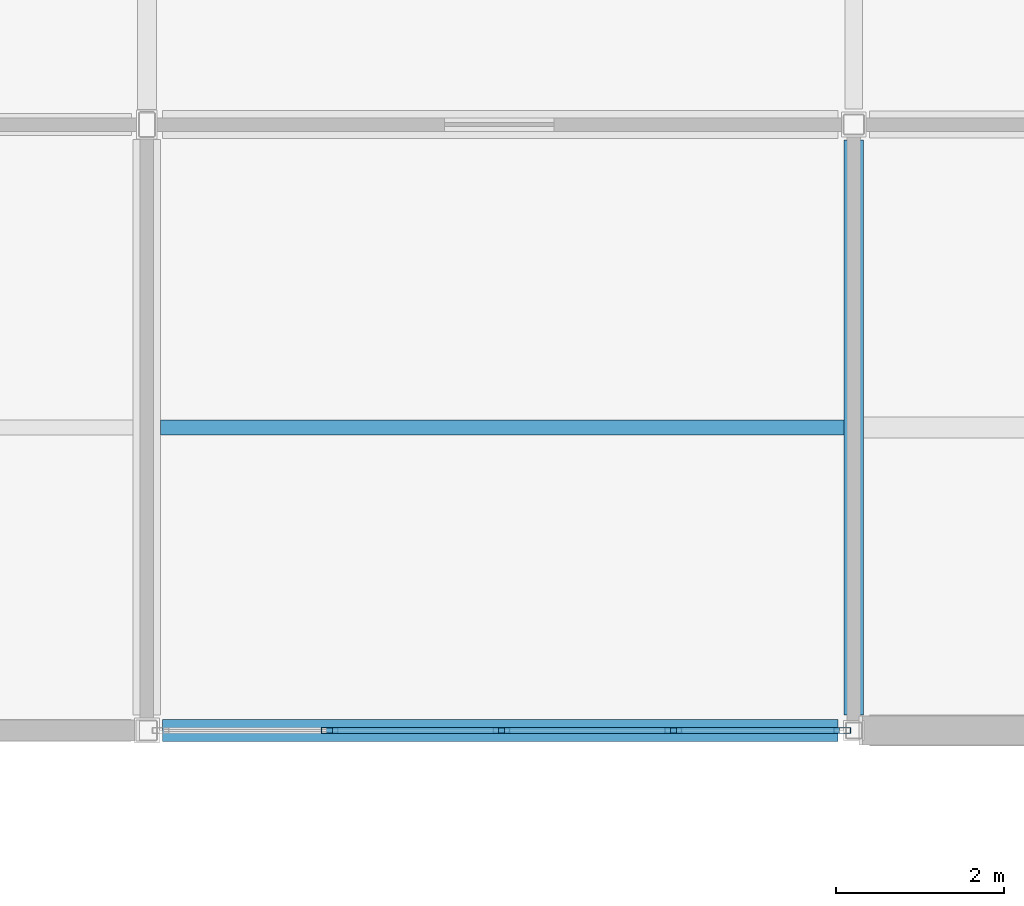
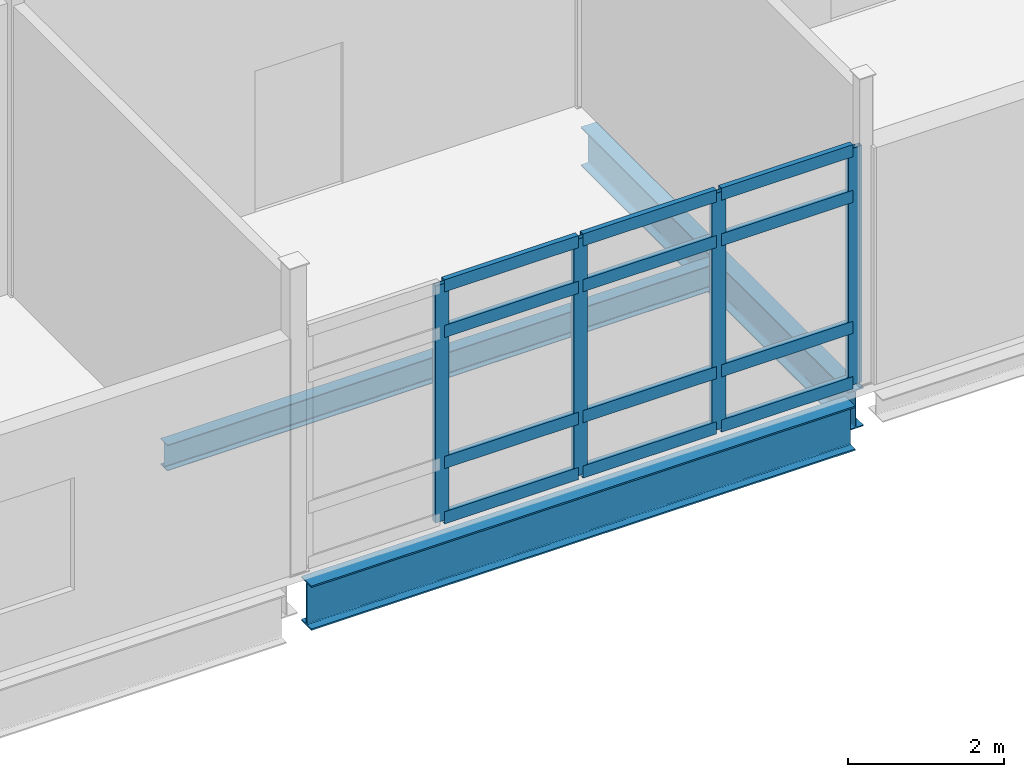
# One storey, part 63 of 153: 16 members, 3 beams, 1 element without a shape of its own.
"""IFC4 building model written with IfcOpenShell, lengths in metres."""

from ifc_helpers import new_model, si_unit, direction, frame, origin, origin_2d, place, context, subcontext, project, spatial, hollow_rectangle, i_section, extrude, material, layer, layer_set, material_profile, profile_set, type_object, element, aggregate, save


model = new_model("IFC4")

# Units and contexts
model_context = context("Model", 3, precision=1e-05, world=origin(), true_north=direction((0.0, 1.0)))
body_context = subcontext(model_context, "Body", "Model", "MODEL_VIEW")
ifc_project = project(units=[si_unit("LENGTHUNIT", "METRE"), si_unit("AREAUNIT", "SQUARE_METRE"), si_unit("VOLUMEUNIT", "CUBIC_METRE"), si_unit("PLANEANGLEUNIT", "RADIAN"), si_unit("MASSUNIT", "GRAM", prefix="KILO")], contexts=[model_context])

# Site, building, storey
site_placement = place(None, origin())
site = spatial("IfcSite", under=ifc_project, at=site_placement, CompositionType="ELEMENT")
building_placement = place(site_placement, origin())
building = spatial("IfcBuilding", under=site, at=building_placement, Name="Calvrana Isthmian Art Gallery", CompositionType="ELEMENT")
storey_placement = place(building_placement, frame((0.0, 0.0, 10.199951171875)))
storey = spatial("IfcBuildingStorey", under=building, at=storey_placement, Name="L02", CompositionType="ELEMENT", Elevation=10.199951171875)

# Beams
ifc_material_1 = material(Name="Steel ASTM A992 Gr 50", Category="steel")
ifc_material_profile_1 = material_profile(ifc_material_1, i_section(OverallWidth=0.22802734375, OverallDepth=0.60693359375, WebThickness=0.01123046875, FlangeThickness=0.017333984375, FilletRadius=0.02197265625, at=origin_2d()), Name="W24X76")
ifc_profile_set_1 = profile_set([ifc_material_profile_1], Name="Steel ASTM A992 Gr 50")
beam_type_1 = type_object("IfcBeamType", Name="BM-G-W24X76", PredefinedType="BEAM", material=ifc_profile_set_1)
beam_1_placement = place(storey_placement, frame((38.39990234375, 98.583984375, -0.568359375), z_axis=(0.0, 1.0, 0.0), x_axis=(-1.0, 0.0, 0.0)))
element("IfcBeam", 1, at=beam_1_placement, inside=storey, type_object=beam_type_1, Name="Girder Y L02 06/N-O", PredefinedType="BEAM", context=body_context, shape_type="SweptSolid", body=[
    extrude(i_section(OverallWidth=0.22802734375, OverallDepth=0.60693359375, WebThickness=0.01123046875, FlangeThickness=0.017333984375, FilletRadius=0.02197265625, at=origin_2d()), origin(), (0.0, 0.0, 1.0), 6.82958984375),
])
ifc_material_profile_2 = material_profile(ifc_material_1, i_section(OverallWidth=0.257080078125, OverallDepth=0.693115234375, WebThickness=0.014404296875, FlangeThickness=0.023681640625, FilletRadius=0.02392578125, at=origin_2d()), Name="W27X114")
ifc_profile_set_2 = profile_set([ifc_material_profile_2], Name="Steel ASTM A992 Gr 50")
beam_type_2 = type_object("IfcBeamType", Name="BM-G-W27X114", PredefinedType="BEAM", material=ifc_profile_set_2)
beam_2_placement = place(storey_placement, frame((30.1865234375, 98.39990234375, -0.611572265625), z_axis=(1.0, 0.0, 0.0), x_axis=(0.0, 1.0, 0.0)))
element("IfcBeam", 2, at=beam_2_placement, inside=storey, type_object=beam_type_2, Name="Girder X L02 05-06/N", PredefinedType="BEAM", context=body_context, shape_type="SweptSolid", body=[
    extrude(i_section(OverallWidth=0.257080078125, OverallDepth=0.693115234375, WebThickness=0.014404296875, FlangeThickness=0.023681640625, FilletRadius=0.02392578125, at=origin_2d()), origin(), (0.0, 0.0, 1.0), 8.02685546875),
])
ifc_material_profile_3 = material_profile(ifc_material_1, i_section(OverallWidth=0.177978515625, OverallDepth=0.404052734375, WebThickness=0.007568359375, FlangeThickness=0.010986328125, FilletRadius=0.01806640625, at=origin_2d()), Name="W16X36")
ifc_profile_set_3 = profile_set([ifc_material_profile_3], Name="Steel ASTM A992 Gr 50")
beam_type_3 = type_object("IfcBeamType", Name="BM-J-W16X36", PredefinedType="JOIST", material=ifc_profile_set_3)
beam_3_placement = place(storey_placement, frame((30.16259765625, 102.0, -0.467041015625), z_axis=(1.0, 0.0, 0.0), x_axis=(0.0, 1.0, 0.0)))
element("IfcBeam", 3, at=beam_3_placement, inside=storey, type_object=beam_type_3, Name="Composite joist L02 bay 04-13", PredefinedType="JOIST", context=body_context, shape_type="SweptSolid", body=[
    extrude(i_section(OverallWidth=0.177978515625, OverallDepth=0.404052734375, WebThickness=0.007568359375, FlangeThickness=0.010986328125, FilletRadius=0.01806640625, at=origin_2d()), origin(), (0.0, 0.0, 1.0), 8.123291015625),
])

# Curtain wall, members
ifc_material_2 = material(Name="Anodized bronze aluminium 6063-T6", Category="aluminium")
ifc_layer = layer(ifc_material_2, 0.179931640625, Name="Anodized bronze aluminium 6063-T6")
ifc_layer_set = layer_set([ifc_layer], Name="Anodized bronze aluminium 6063-T6")
curtain_wall_type = type_object("IfcCurtainWallType", Name="CW-STICK-082X37", PredefinedType="NOTDEFINED", material=ifc_layer_set)
curtain_wall_placement = place(storey_placement, origin())
curtain_wall = element("IfcCurtainWall", 4, at=curtain_wall_placement, inside=storey, type_object=curtain_wall_type, Name="Curtain wall CW-159", PredefinedType="NOTDEFINED")
ifc_material_profile_4 = material_profile(ifc_material_2, hollow_rectangle(XDim=0.070068359375, YDim=0.199951171875, WallThickness=0.0048828125, at=origin_2d()), Name="CWM70X200")
ifc_profile_set_4 = profile_set([ifc_material_profile_4], Name="Anodized bronze aluminium 6063-T6")
member_type_1 = type_object("IfcMemberType", Name="CWM-CWM70X200", PredefinedType="MULLION", material=ifc_profile_set_4)
member_1_placement = place(storey_placement, frame((38.263427734375, 98.39990234375, 0.0), z_axis=(0.0, 0.0, 1.0), x_axis=(0.0, -1.0, 0.0)))
member_1 = element("IfcMember", 5, at=member_1_placement, type_object=member_type_1, Name="CW-159 mullion 1", PredefinedType="MULLION", context=body_context, shape_type="SweptSolid", body=[
    extrude(hollow_rectangle(XDim=0.070068359375, YDim=0.199951171875, WallThickness=0.0048828125, at=origin_2d()), origin(), (0.0, 0.0, 1.0), 3.695068359375),
])
member_2_placement = place(storey_placement, frame((36.255615234375, 98.39990234375, 0.0), z_axis=(0.0, 0.0, 1.0), x_axis=(0.0, -1.0, 0.0)))
member_2 = element("IfcMember", 6, at=member_2_placement, type_object=member_type_1, Name="CW-159 mullion 2", PredefinedType="MULLION", context=body_context, shape_type="SweptSolid", body=[
    extrude(hollow_rectangle(XDim=0.070068359375, YDim=0.199951171875, WallThickness=0.0048828125, at=origin_2d()), origin(), (0.0, 0.0, 1.0), 3.695068359375),
])
member_3_placement = place(storey_placement, frame((34.212646484375, 98.39990234375, 0.0), z_axis=(0.0, 0.0, 1.0), x_axis=(0.0, -1.0, 0.0)))
member_3 = element("IfcMember", 7, at=member_3_placement, type_object=member_type_1, Name="CW-159 mullion 3", PredefinedType="MULLION", context=body_context, shape_type="SweptSolid", body=[
    extrude(hollow_rectangle(XDim=0.070068359375, YDim=0.199951171875, WallThickness=0.0048828125, at=origin_2d()), origin(), (0.0, 0.0, 1.0), 3.695068359375),
])
member_4_placement = place(storey_placement, frame((32.169921875, 98.39990234375, 0.0), z_axis=(0.0, 0.0, 1.0), x_axis=(0.0, -1.0, 0.0)))
member_4 = element("IfcMember", 8, at=member_4_placement, type_object=member_type_1, Name="CW-159 mullion 4", PredefinedType="MULLION", context=body_context, shape_type="SweptSolid", body=[
    extrude(hollow_rectangle(XDim=0.070068359375, YDim=0.199951171875, WallThickness=0.0048828125, at=origin_2d()), origin(), (0.0, 0.0, 1.0), 3.695068359375),
])
ifc_material_profile_5 = material_profile(ifc_material_2, hollow_rectangle(XDim=0.074951171875, YDim=0.18994140625, WallThickness=0.00439453125, at=origin_2d()), Name="CWT75X190")
ifc_profile_set_5 = profile_set([ifc_material_profile_5], Name="Anodized bronze aluminium 6063-T6")
member_type_2 = type_object("IfcMemberType", Name="CWT-CWT75X190", PredefinedType="USERDEFINED", material=ifc_profile_set_5)
member_5_placement = place(storey_placement, frame((38.228515625, 98.39990234375, 0.03759765625), z_axis=(-1.0, 0.0, 0.0), x_axis=(0.0, -1.0, 0.0)))
member_5 = element("IfcMember", 9, at=member_5_placement, type_object=member_type_2, Name="CW-159 transom 1.1", ObjectType="TRANSOM", PredefinedType="USERDEFINED", context=body_context, shape_type="SweptSolid", body=[
    extrude(hollow_rectangle(XDim=0.074951171875, YDim=0.18994140625, WallThickness=0.00439453125, at=origin_2d()), origin(), (0.0, 0.0, 1.0), 1.93798828125),
])
member_6_placement = place(storey_placement, frame((38.228515625, 98.39990234375, 0.900146484375), z_axis=(-1.0, 0.0, 0.0), x_axis=(0.0, -1.0, 0.0)))
member_6 = element("IfcMember", 10, at=member_6_placement, type_object=member_type_2, Name="CW-159 transom 1.2", ObjectType="TRANSOM", PredefinedType="USERDEFINED", context=body_context, shape_type="SweptSolid", body=[
    extrude(hollow_rectangle(XDim=0.074951171875, YDim=0.18994140625, WallThickness=0.00439453125, at=origin_2d()), origin(), (0.0, 0.0, 1.0), 1.93798828125),
])
member_7_placement = place(storey_placement, frame((38.228515625, 98.39990234375, 2.945068359375), z_axis=(-1.0, 0.0, 0.0), x_axis=(0.0, -1.0, 0.0)))
member_7 = element("IfcMember", 11, at=member_7_placement, type_object=member_type_2, Name="CW-159 transom 1.3", ObjectType="TRANSOM", PredefinedType="USERDEFINED", context=body_context, shape_type="SweptSolid", body=[
    extrude(hollow_rectangle(XDim=0.074951171875, YDim=0.18994140625, WallThickness=0.00439453125, at=origin_2d()), origin(), (0.0, 0.0, 1.0), 1.93798828125),
])
member_8_placement = place(storey_placement, frame((38.228515625, 98.39990234375, 3.657470703125), z_axis=(-1.0, 0.0, 0.0), x_axis=(0.0, -1.0, 0.0)))
member_8 = element("IfcMember", 12, at=member_8_placement, type_object=member_type_2, Name="CW-159 transom 1.4", ObjectType="TRANSOM", PredefinedType="USERDEFINED", context=body_context, shape_type="SweptSolid", body=[
    extrude(hollow_rectangle(XDim=0.074951171875, YDim=0.18994140625, WallThickness=0.00439453125, at=origin_2d()), origin(), (0.0, 0.0, 1.0), 1.93798828125),
])
member_9_placement = place(storey_placement, frame((36.220458984375, 98.39990234375, 0.03759765625), z_axis=(-1.0, 0.0, 0.0), x_axis=(0.0, -1.0, 0.0)))
member_9 = element("IfcMember", 13, at=member_9_placement, type_object=member_type_2, Name="CW-159 transom 2.1", ObjectType="TRANSOM", PredefinedType="USERDEFINED", context=body_context, shape_type="SweptSolid", body=[
    extrude(hollow_rectangle(XDim=0.074951171875, YDim=0.18994140625, WallThickness=0.00439453125, at=origin_2d()), origin(), (0.0, 0.0, 1.0), 1.97265625),
])
member_10_placement = place(storey_placement, frame((36.220458984375, 98.39990234375, 0.900146484375), z_axis=(-1.0, 0.0, 0.0), x_axis=(0.0, -1.0, 0.0)))
member_10 = element("IfcMember", 14, at=member_10_placement, type_object=member_type_2, Name="CW-159 transom 2.2", ObjectType="TRANSOM", PredefinedType="USERDEFINED", context=body_context, shape_type="SweptSolid", body=[
    extrude(hollow_rectangle(XDim=0.074951171875, YDim=0.18994140625, WallThickness=0.00439453125, at=origin_2d()), origin(), (0.0, 0.0, 1.0), 1.97265625),
])
member_11_placement = place(storey_placement, frame((36.220458984375, 98.39990234375, 2.945068359375), z_axis=(-1.0, 0.0, 0.0), x_axis=(0.0, -1.0, 0.0)))
member_11 = element("IfcMember", 15, at=member_11_placement, type_object=member_type_2, Name="CW-159 transom 2.3", ObjectType="TRANSOM", PredefinedType="USERDEFINED", context=body_context, shape_type="SweptSolid", body=[
    extrude(hollow_rectangle(XDim=0.074951171875, YDim=0.18994140625, WallThickness=0.00439453125, at=origin_2d()), origin(), (0.0, 0.0, 1.0), 1.97265625),
])
member_12_placement = place(storey_placement, frame((36.220458984375, 98.39990234375, 3.657470703125), z_axis=(-1.0, 0.0, 0.0), x_axis=(0.0, -1.0, 0.0)))
member_12 = element("IfcMember", 16, at=member_12_placement, type_object=member_type_2, Name="CW-159 transom 2.4", ObjectType="TRANSOM", PredefinedType="USERDEFINED", context=body_context, shape_type="SweptSolid", body=[
    extrude(hollow_rectangle(XDim=0.074951171875, YDim=0.18994140625, WallThickness=0.00439453125, at=origin_2d()), origin(), (0.0, 0.0, 1.0), 1.97265625),
])
member_13_placement = place(storey_placement, frame((34.177734375, 98.39990234375, 0.03759765625), z_axis=(-1.0, 0.0, 0.0), x_axis=(0.0, -1.0, 0.0)))
member_13 = element("IfcMember", 17, at=member_13_placement, type_object=member_type_2, Name="CW-159 transom 3.1", ObjectType="TRANSOM", PredefinedType="USERDEFINED", context=body_context, shape_type="SweptSolid", body=[
    extrude(hollow_rectangle(XDim=0.074951171875, YDim=0.18994140625, WallThickness=0.00439453125, at=origin_2d()), origin(), (0.0, 0.0, 1.0), 1.972900390625),
])
member_14_placement = place(storey_placement, frame((34.177734375, 98.39990234375, 0.900146484375), z_axis=(-1.0, 0.0, 0.0), x_axis=(0.0, -1.0, 0.0)))
member_14 = element("IfcMember", 18, at=member_14_placement, type_object=member_type_2, Name="CW-159 transom 3.2", ObjectType="TRANSOM", PredefinedType="USERDEFINED", context=body_context, shape_type="SweptSolid", body=[
    extrude(hollow_rectangle(XDim=0.074951171875, YDim=0.18994140625, WallThickness=0.00439453125, at=origin_2d()), origin(), (0.0, 0.0, 1.0), 1.972900390625),
])
member_15_placement = place(storey_placement, frame((34.177734375, 98.39990234375, 2.945068359375), z_axis=(-1.0, 0.0, 0.0), x_axis=(0.0, -1.0, 0.0)))
member_15 = element("IfcMember", 19, at=member_15_placement, type_object=member_type_2, Name="CW-159 transom 3.3", ObjectType="TRANSOM", PredefinedType="USERDEFINED", context=body_context, shape_type="SweptSolid", body=[
    extrude(hollow_rectangle(XDim=0.074951171875, YDim=0.18994140625, WallThickness=0.00439453125, at=origin_2d()), origin(), (0.0, 0.0, 1.0), 1.972900390625),
])
member_16_placement = place(storey_placement, frame((34.177734375, 98.39990234375, 3.657470703125), z_axis=(-1.0, 0.0, 0.0), x_axis=(0.0, -1.0, 0.0)))
member_16 = element("IfcMember", 20, at=member_16_placement, type_object=member_type_2, Name="CW-159 transom 3.4", ObjectType="TRANSOM", PredefinedType="USERDEFINED", context=body_context, shape_type="SweptSolid", body=[
    extrude(hollow_rectangle(XDim=0.074951171875, YDim=0.18994140625, WallThickness=0.00439453125, at=origin_2d()), origin(), (0.0, 0.0, 1.0), 1.972900390625),
])
aggregate(curtain_wall, [member_1, member_2, member_3, member_4, member_5, member_6, member_7, member_8, member_9, member_10, member_11, member_12, member_13, member_14, member_15, member_16])

save(model, "model.ifc")
